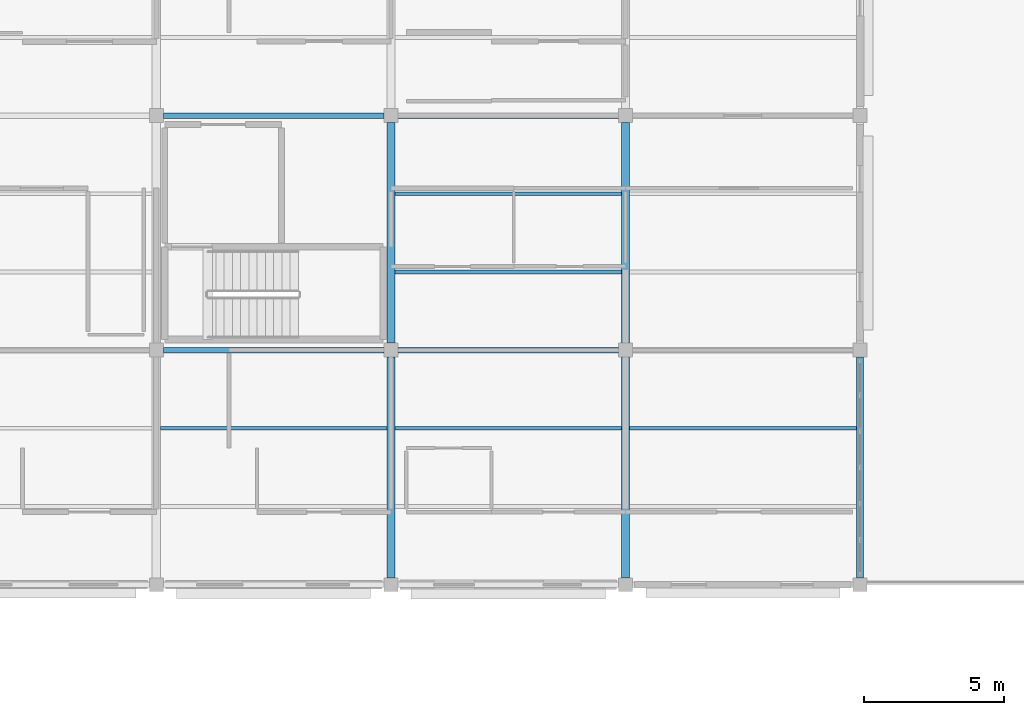
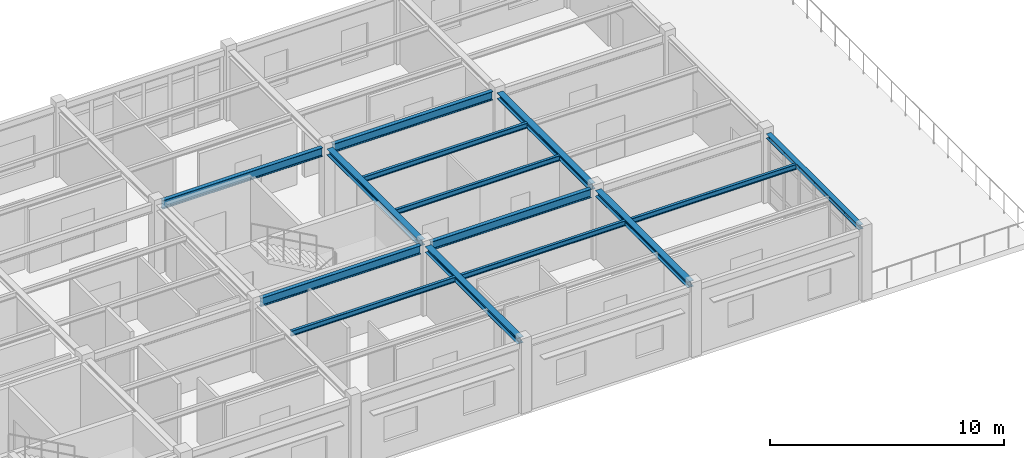
# One storey, part 34 of 70: 14 beams.
"""IFC4 building model written with IfcOpenShell, lengths in metres."""

from ifc_helpers import new_model, si_unit, direction, frame, origin, origin_2d, place, context, subcontext, project, spatial, i_section, extrude, material, material_profile, profile_set, type_object, element, save


model = new_model("IFC4")

# Units and contexts
model_context = context("Model", 3, precision=1e-05, world=origin(), true_north=direction((0.0, 1.0)))
body_context = subcontext(model_context, "Body", "Model", "MODEL_VIEW")
ifc_project = project(units=[si_unit("LENGTHUNIT", "METRE"), si_unit("AREAUNIT", "SQUARE_METRE"), si_unit("VOLUMEUNIT", "CUBIC_METRE"), si_unit("PLANEANGLEUNIT", "RADIAN"), si_unit("MASSUNIT", "GRAM", prefix="KILO")], contexts=[model_context])

# Site, building, storey
site_placement = place(None, origin())
site = spatial("IfcSite", under=ifc_project, at=site_placement, CompositionType="ELEMENT")
building_placement = place(site_placement, origin())
building = spatial("IfcBuilding", under=site, at=building_placement, Name="Bramfleet General Hospital", CompositionType="ELEMENT")
storey_placement = place(building_placement, frame((0.0, 0.0, 22.5)))
storey = spatial("IfcBuildingStorey", under=building, at=storey_placement, Name="L05", CompositionType="ELEMENT", Elevation=22.5)

# Beams
ifc_material = material(Name="Steel S355", Category="steel")
ifc_material_profile_1 = material_profile(ifc_material, i_section(OverallWidth=0.239990234375, OverallDepth=0.22998046875, WebThickness=0.007568359375, FlangeThickness=0.011962890625, FilletRadius=0.02099609375, at=origin_2d()), Name="HEA 240")
ifc_profile_set_1 = profile_set([ifc_material_profile_1], Name="Steel S355")
beam_type_1 = type_object("IfcBeamType", Name="BM-HEA240", PredefinedType="SPANDREL", material=ifc_profile_set_1)
beam_1_placement = place(storey_placement, frame((159.60009765625, 92.64990234375, 3.4951171875), z_axis=(0.0, 1.0, 0.0), x_axis=(-1.0, 0.0, 0.0)))
element("IfcBeam", 1, at=beam_1_placement, inside=storey, type_object=beam_type_1, Name="L05 Grid Beam Y 19-11", PredefinedType="SPANDREL", context=body_context, shape_type="SweptSolid", body=[
    extrude(i_section(OverallWidth=0.239990234375, OverallDepth=0.22998046875, WebThickness=0.007568359375, FlangeThickness=0.011962890625, FilletRadius=0.02099609375, at=origin_2d()), origin(), (0.0, 0.0, 1.0), 7.900146484375),
])
ifc_material_profile_2 = material_profile(ifc_material, i_section(OverallWidth=0.300048828125, OverallDepth=0.31005859375, WebThickness=0.009033203125, FlangeThickness=0.015380859375, FilletRadius=0.027099609375, at=origin_2d()), Name="HEA 320")
ifc_profile_set_2 = profile_set([ifc_material_profile_2], Name="Steel S355")
beam_type_2 = type_object("IfcBeamType", Name="BM-HEA320", PredefinedType="BEAM", material=ifc_profile_set_2)
beam_2_placement = place(storey_placement, frame((142.800048828125, 92.64990234375, 3.465087890625), z_axis=(0.0, 1.0, 0.0), x_axis=(-1.0, 0.0, 0.0)))
element("IfcBeam", 2, at=beam_2_placement, inside=storey, type_object=beam_type_2, Name="L05 Grid Beam Y 17-11", PredefinedType="BEAM", context=body_context, shape_type="SweptSolid", body=[
    extrude(i_section(OverallWidth=0.300048828125, OverallDepth=0.31005859375, WebThickness=0.009033203125, FlangeThickness=0.015380859375, FilletRadius=0.027099609375, at=origin_2d()), origin(), (0.0, 0.0, 1.0), 7.900146484375),
])
beam_3_placement = place(storey_placement, frame((142.800048828125, 101.050048828125, 3.465087890625), z_axis=(0.0, 1.0, 0.0), x_axis=(-1.0, 0.0, 0.0)))
element("IfcBeam", 3, at=beam_3_placement, inside=storey, type_object=beam_type_2, Name="L05 Grid Beam Y 17-12", PredefinedType="BEAM", context=body_context, shape_type="SweptSolid", body=[
    extrude(i_section(OverallWidth=0.300048828125, OverallDepth=0.31005859375, WebThickness=0.009033203125, FlangeThickness=0.015380859375, FilletRadius=0.027099609375, at=origin_2d()), origin(), (0.0, 0.0, 1.0), 7.89990234375),
])
beam_4_placement = place(storey_placement, frame((151.199951171875, 92.64990234375, 3.455078125), z_axis=(0.0, 1.0, 0.0), x_axis=(-1.0, 0.0, 0.0)))
element("IfcBeam", 4, at=beam_4_placement, inside=storey, type_object=beam_type_2, Name="L05 Grid Beam Y 18-11", PredefinedType="BEAM", context=body_context, shape_type="SweptSolid", body=[
    extrude(i_section(OverallWidth=0.300048828125, OverallDepth=0.31005859375, WebThickness=0.009033203125, FlangeThickness=0.015380859375, FilletRadius=0.027099609375, at=origin_2d()), origin(), (0.0, 0.0, 1.0), 7.900146484375),
])
beam_5_placement = place(storey_placement, frame((151.199951171875, 101.050048828125, 3.455078125), z_axis=(0.0, 1.0, 0.0), x_axis=(-1.0, 0.0, 0.0)))
element("IfcBeam", 5, at=beam_5_placement, inside=storey, type_object=beam_type_2, Name="L05 Grid Beam Y 18-12", PredefinedType="BEAM", context=body_context, shape_type="SweptSolid", body=[
    extrude(i_section(OverallWidth=0.300048828125, OverallDepth=0.31005859375, WebThickness=0.009033203125, FlangeThickness=0.015380859375, FilletRadius=0.027099609375, at=origin_2d()), origin(), (0.0, 0.0, 1.0), 7.89990234375),
])
ifc_material_profile_3 = material_profile(ifc_material, i_section(OverallWidth=0.135009765625, OverallDepth=0.27001953125, WebThickness=0.006591796875, FlangeThickness=0.01025390625, FilletRadius=0.014892578125, at=origin_2d()), Name="IPE 270")
ifc_profile_set_3 = profile_set([ifc_material_profile_3], Name="Steel S355")
beam_type_3 = type_object("IfcBeamType", Name="BM-IPE270", PredefinedType="JOIST", material=ifc_profile_set_3)
beam_6_placement = place(storey_placement, frame((134.550048828125, 98.0, 3.485107421875), z_axis=(1.0, 0.0, 0.0), x_axis=(0.0, 1.0, 0.0)))
element("IfcBeam", 6, at=beam_6_placement, inside=storey, type_object=beam_type_3, Name="L05 Secondary Joist 16-11-2", PredefinedType="JOIST", context=body_context, shape_type="SweptSolid", body=[
    extrude(i_section(OverallWidth=0.135009765625, OverallDepth=0.27001953125, WebThickness=0.006591796875, FlangeThickness=0.01025390625, FilletRadius=0.014892578125, at=origin_2d()), origin(), (0.0, 0.0, 1.0), 8.099853515625),
])
for number, where, z_axis, x_axis, name in (
    (7, (142.949951171875, 98.0, 3.485107421875), (1.0, 0.0, 0.0), (0.0, 1.0, 0.0), "L05 Secondary Joist 17-11-2"),
    (8, (142.949951171875, 103.60009765625, 3.485107421875), (1.0, 0.0, 0.0), (0.0, 1.0, 0.0), "L05 Secondary Joist 17-12-1"),
    (9, (142.949951171875, 106.39990234375, 3.485107421875), (1.0, 0.0, 0.0), (0.0, 1.0, 0.0), "L05 Secondary Joist 17-12-2"),
):
    element("IfcBeam", number, at=place(storey_placement, frame(where, z_axis=z_axis, x_axis=x_axis)), inside=storey, type_object=beam_type_3, Name=name, PredefinedType="JOIST", context=body_context, shape_type="SweptSolid", body=[
        extrude(i_section(OverallWidth=0.135009765625, OverallDepth=0.27001953125, WebThickness=0.006591796875, FlangeThickness=0.01025390625, FilletRadius=0.014892578125, at=origin_2d()), origin(), (0.0, 0.0, 1.0), 8.10009765625),
    ])
beam_7_placement = place(storey_placement, frame((151.35009765625, 98.0, 3.47509765625), z_axis=(1.0, 0.0, 0.0), x_axis=(0.0, 1.0, 0.0)))
element("IfcBeam", 10, at=beam_7_placement, inside=storey, type_object=beam_type_3, Name="L05 Secondary Joist 18-11-2", PredefinedType="JOIST", context=body_context, shape_type="SweptSolid", body=[
    extrude(i_section(OverallWidth=0.135009765625, OverallDepth=0.27001953125, WebThickness=0.006591796875, FlangeThickness=0.01025390625, FilletRadius=0.014892578125, at=origin_2d()), origin(), (0.0, 0.0, 1.0), 8.1298828125),
])
ifc_material_profile_4 = material_profile(ifc_material, i_section(OverallWidth=0.18994140625, OverallDepth=0.449951171875, WebThickness=0.009521484375, FlangeThickness=0.0146484375, FilletRadius=0.02099609375, at=origin_2d()), Name="IPE 450")
ifc_profile_set_4 = profile_set([ifc_material_profile_4], Name="Steel S355")
beam_type_4 = type_object("IfcBeamType", Name="BM-IPE450", PredefinedType="BEAM", material=ifc_profile_set_4)
for number, where, z_axis, x_axis, name in (
    (11, (134.64990234375, 100.800048828125, 3.39501953125), (1.0, 0.0, 0.0), (0.0, 1.0, 0.0), "L05 Grid Beam X 16-12"),
    (12, (134.64990234375, 109.199951171875, 3.39501953125), (1.0, 0.0, 0.0), (0.0, 1.0, 0.0), "L05 Grid Beam X 16-13"),
):
    element("IfcBeam", number, at=place(storey_placement, frame(where, z_axis=z_axis, x_axis=x_axis)), inside=storey, type_object=beam_type_4, Name=name, PredefinedType="BEAM", context=body_context, shape_type="SweptSolid", body=[
        extrude(i_section(OverallWidth=0.18994140625, OverallDepth=0.449951171875, WebThickness=0.009521484375, FlangeThickness=0.0146484375, FilletRadius=0.02099609375, at=origin_2d()), origin(), (0.0, 0.0, 1.0), 7.900146484375),
    ])
for number, where, z_axis, x_axis, name in (
    (13, (143.050048828125, 100.800048828125, 3.39501953125), (1.0, 0.0, 0.0), (0.0, 1.0, 0.0), "L05 Grid Beam X 17-12"),
    (14, (143.050048828125, 109.199951171875, 3.39501953125), (1.0, 0.0, 0.0), (0.0, 1.0, 0.0), "L05 Grid Beam X 17-13"),
):
    element("IfcBeam", number, at=place(storey_placement, frame(where, z_axis=z_axis, x_axis=x_axis)), inside=storey, type_object=beam_type_4, Name=name, PredefinedType="BEAM", context=body_context, shape_type="SweptSolid", body=[
        extrude(i_section(OverallWidth=0.18994140625, OverallDepth=0.449951171875, WebThickness=0.009521484375, FlangeThickness=0.0146484375, FilletRadius=0.02099609375, at=origin_2d()), origin(), (0.0, 0.0, 1.0), 7.89990234375),
    ])

save(model, "model.ifc")
